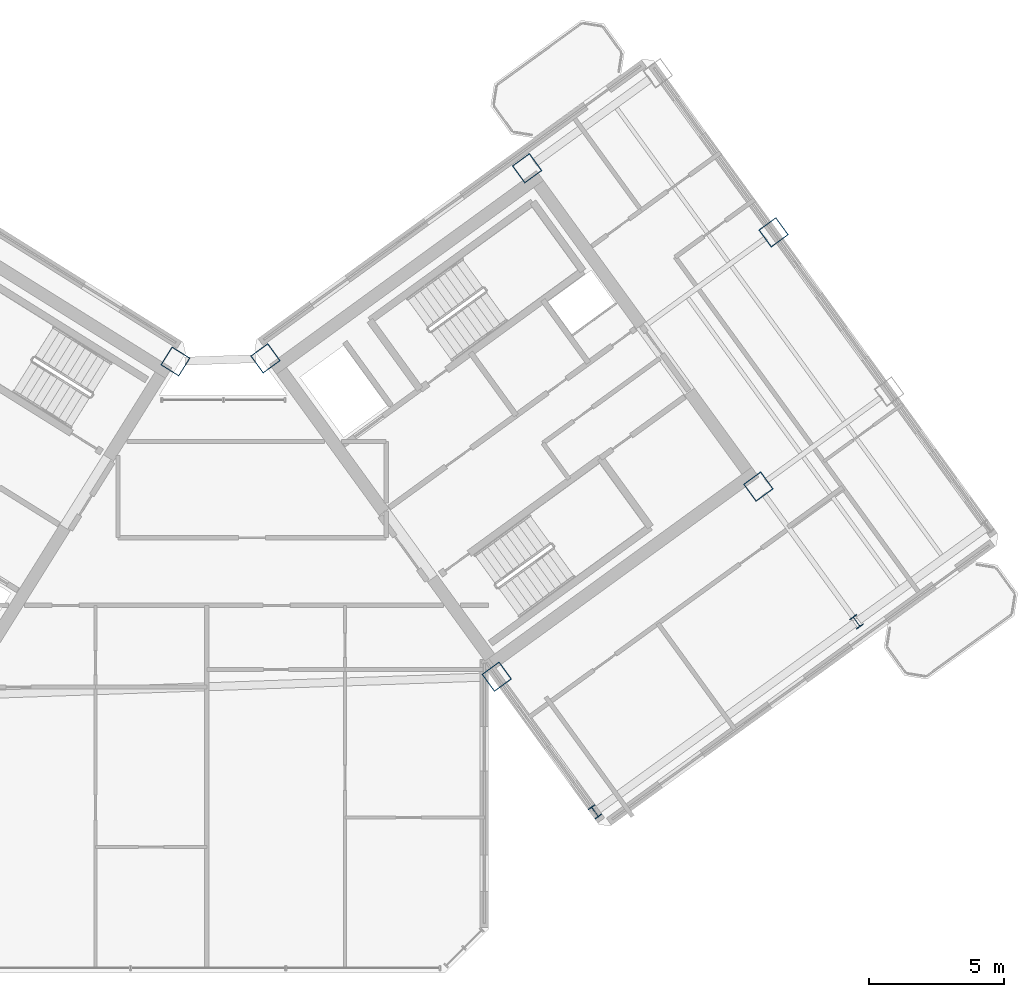
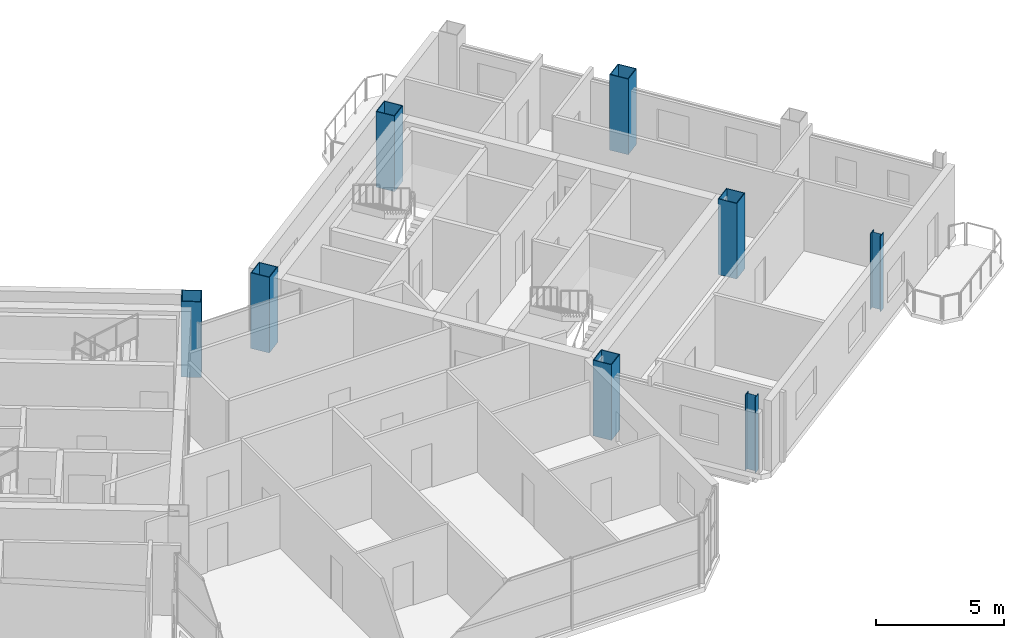
# One storey, part 2 of 29: 8 columns.
"""IFC4 building model written with IfcOpenShell, lengths in metres."""

from ifc_helpers import new_model, si_unit, direction, frame, origin, origin_2d, place, context, subcontext, project, spatial, hollow_rectangle, i_section, extrude, source, transform, mapped, material, material_profile, profile_set, type_object, element, save


model = new_model("IFC4")

# Units and contexts
model_context = context("Model", 3, precision=1e-05, world=origin(), true_north=direction((0.0, 1.0)))
body_context = subcontext(model_context, "Body", "Model", "MODEL_VIEW")
ifc_project = project(units=[si_unit("LENGTHUNIT", "METRE"), si_unit("AREAUNIT", "SQUARE_METRE"), si_unit("VOLUMEUNIT", "CUBIC_METRE"), si_unit("PLANEANGLEUNIT", "RADIAN"), si_unit("MASSUNIT", "GRAM", prefix="KILO")], contexts=[model_context])

# Site, building, storey
site_placement = place(None, origin())
site = spatial("IfcSite", under=ifc_project, at=site_placement, CompositionType="ELEMENT")
building_placement = place(site_placement, origin())
building = spatial("IfcBuilding", under=site, at=building_placement, Name="Tlacorven Tower", CompositionType="ELEMENT")
storey_placement = place(building_placement, frame((0.0, 0.0, 238.5)))
storey = spatial("IfcBuildingStorey", under=building, at=storey_placement, Name="L60", CompositionType="ELEMENT", Elevation=238.5)

# Columns
ifc_material_1 = material(Name="Steel S460M", Category="steel")
ifc_material_profile_1 = material_profile(ifc_material_1, hollow_rectangle(XDim=0.800048828125, YDim=0.800048828125, WallThickness=0.031982421875, at=origin_2d()), Name="BOX 800X800X32")
ifc_profile_set_1 = profile_set([ifc_material_profile_1], Name="Steel S460M")
column_type_1 = type_object("IfcColumnType", Name="COL-TWR-S3", PredefinedType="COLUMN", material=ifc_profile_set_1)
shared_shape_1 = source(origin(), body_context, "Body", "SweptSolid", [
    extrude(hollow_rectangle(XDim=0.800048828125, YDim=0.800048828125, WallThickness=0.031982421875, at=origin_2d()), origin(), (0.0, 0.0, 1.0), 3.60009765625),
])
for number, where, z_axis, x_axis, name in (
    (1, (40.782958984375, 24.468505859375, 0.0), (0.0, 0.0, 1.0), (-0.848048096156, 0.529919264233, 0.0), "L60 column COL-L60-W1-1"),
    (2, (52.705322265625, 12.7734375, 0.0), (0.0, 0.0, 1.0), (0.809016994375, 0.587785252292, 0.0), "L60 column COL-L60-E1-2"),
    (3, (44.123779296875, 24.5849609375, 0.0), (0.0, 0.0, 1.0), (0.809016994375, 0.587785252292, 0.0), "L60 column COL-L60-E1-4"),
    (4, (62.41357421875, 19.826904296875, 0.0), (0.0, 0.0, 1.0), (0.809016994375, 0.587785252292, 0.0), "L60 column COL-L60-E3-2"),
    (5, (53.83203125, 31.638427734375, 0.0), (0.0, 0.0, 1.0), (0.809016994375, 0.587785252292, 0.0), "L60 column COL-L60-E3-4"),
    (6, (62.976806640625, 29.25927734375, 0.0), (0.0, 0.0, 1.0), (0.809016994375, 0.587785252292, 0.0), "L60 column COL-L60-E4-3"),
):
    element("IfcColumn", number, at=place(storey_placement, frame(where, z_axis=z_axis, x_axis=x_axis)), inside=storey, type_object=column_type_1, Name=name, PredefinedType="COLUMN", context=body_context, shape_type="MappedRepresentation", body=[
        mapped(shared_shape_1, transform((0.0, 0.0, 0.0), scale=1.0)),
    ])
ifc_material_2 = material(Name="Steel S355J2", Category="steel")
ifc_material_profile_2 = material_profile(ifc_material_2, i_section(OverallWidth=0.300048828125, OverallDepth=0.449951171875, WebThickness=0.013916015625, FlangeThickness=0.02587890625, at=origin_2d()), Name="HEB 450")
ifc_profile_set_2 = profile_set([ifc_material_profile_2], Name="Steel S355J2")
column_type_2 = type_object("IfcColumnType", Name="COL-TWR-P3", PredefinedType="COLUMN", material=ifc_profile_set_2)
shared_shape_2 = source(origin(), body_context, "Body", "SweptSolid", [
    extrude(i_section(OverallWidth=0.300048828125, OverallDepth=0.449951171875, WebThickness=0.013916015625, FlangeThickness=0.02587890625, at=origin_2d()), origin(), (0.0, 0.0, 1.0), 3.60009765625),
])
for number, where, z_axis, x_axis, name in (
    (7, (56.349609375, 7.757568359375, 0.0), (0.0, 0.0, 1.0), (0.809016994375, 0.587785252292, 0.0), "L60 column COL-L60-E1-1"),
    (8, (66.057861328125, 14.81103515625, 0.0), (0.0, 0.0, 1.0), (0.809016994375, 0.587785252292, 0.0), "L60 column COL-L60-E3-1"),
):
    element("IfcColumn", number, at=place(storey_placement, frame(where, z_axis=z_axis, x_axis=x_axis)), inside=storey, type_object=column_type_2, Name=name, PredefinedType="COLUMN", context=body_context, shape_type="MappedRepresentation", body=[
        mapped(shared_shape_2, transform((0.0, 0.0, 0.0), scale=1.0)),
    ])

save(model, "model.ifc")
